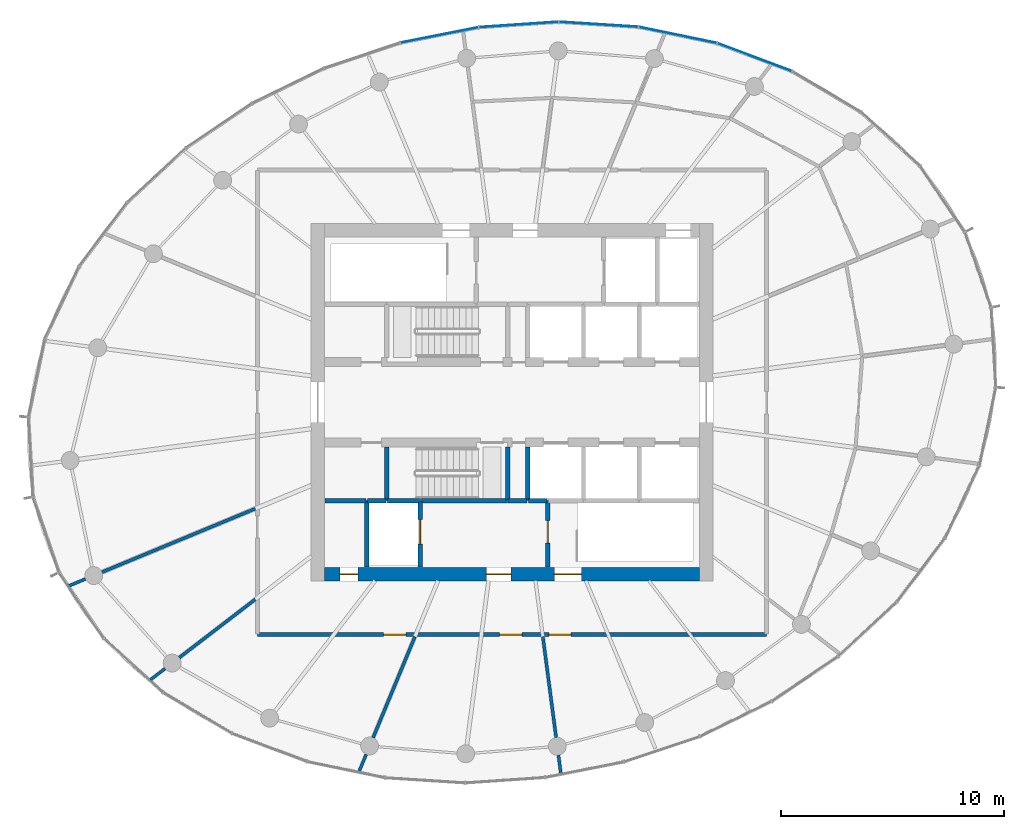
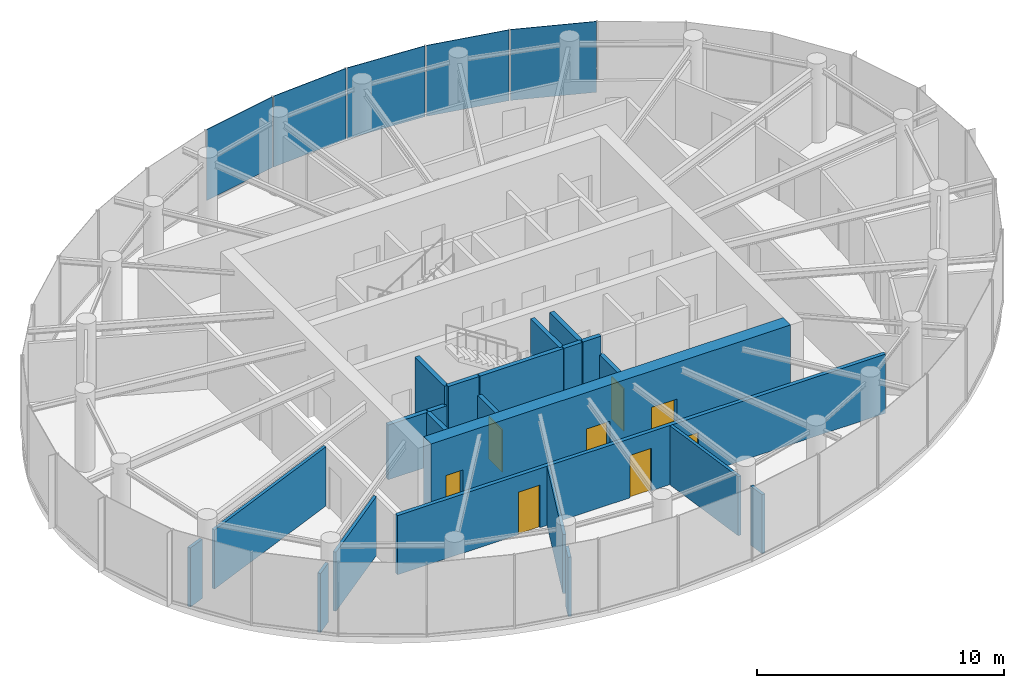
# One storey, part 8 of 13: 22 walls, 8 doors, 5 plates, 8 openings, 2 elements without a shape of their own.
"""IFC4 building model written with IfcOpenShell, lengths in metres."""

from ifc_helpers import new_model, si_unit, direction, frame, frame_2d, origin, origin_2d, place, context, subcontext, project, spatial, rectangle, extrude, source, transform, mapped, material, layer, layer_set, type_object, element, fill, aggregate, save


model = new_model("IFC4")

# Units and contexts
model_context = context("Model", 3, precision=1e-05, world=origin(), true_north=direction((0.0, 1.0)))
body_context = subcontext(model_context, "Body", "Model", "MODEL_VIEW")
ifc_project = project(units=[si_unit("LENGTHUNIT", "METRE"), si_unit("AREAUNIT", "SQUARE_METRE"), si_unit("VOLUMEUNIT", "CUBIC_METRE"), si_unit("PLANEANGLEUNIT", "RADIAN"), si_unit("MASSUNIT", "GRAM", prefix="KILO")], contexts=[model_context])

# Site, building, storey
site_placement = place(None, origin())
site = spatial("IfcSite", under=ifc_project, at=site_placement, CompositionType="ELEMENT")
building_placement = place(site_placement, origin())
building = spatial("IfcBuilding", under=site, at=building_placement, Name="Spindrift Exchange Tower", CompositionType="ELEMENT")
storey_placement = place(building_placement, frame((0.0, 0.0, 265.699951171875)))
storey = spatial("IfcBuildingStorey", under=building, at=storey_placement, Name="L65", CompositionType="ELEMENT", Elevation=265.699951171875)

# Curtain wall, plates
ifc_material_1 = material(Name="Fritted laminated glass with bronze frame", Category="glass")
ifc_layer_1 = layer(ifc_material_1, 0.159912109375)
ifc_layer_set_1 = layer_set([ifc_layer_1], Name="ZONE 5 BRONZE FRITTED WALL")
curtain_wall_type = type_object("IfcCurtainWallType", Name="ZONE 5 BRONZE FRITTED WALL", PredefinedType="NOTDEFINED", material=ifc_layer_set_1)
curtain_wall_1_placement = place(storey_placement, origin())
curtain_wall_1 = element("IfcCurtainWall", 1, at=curtain_wall_1_placement, inside=storey, type_object=curtain_wall_type, Name="L65 Zone 5 Bronze Fritted Wall run 1", PredefinedType="NOTDEFINED")
ifc_material_2 = material(Name="Bronze fritted laminated glass, open frit", Category="glass")
ifc_layer_2 = layer(ifc_material_2, 0.028076171875)
ifc_layer_set_2 = layer_set([ifc_layer_2], Name="ZONE 5 BRONZE FRITTED WALL PANEL OPEN FRIT 480")
plate_type_1 = type_object("IfcPlateType", Name="ZONE 5 BRONZE FRITTED WALL PANEL OPEN FRIT 480", PredefinedType="CURTAIN_PANEL", material=ifc_layer_set_2)
shared_shape_1 = source(origin(), body_context, "Body", "SweptSolid", [
    extrude(rectangle(XDim=3.524658203125, YDim=0.028076171875, at=origin_2d()), origin(), (0.0, 0.0, 1.0), 3.5),
])
plate_1_placement = place(storey_placement, frame((62.857177734375, 63.447509765625, 0.1201171875), z_axis=(0.0, 0.0, 1.0), x_axis=(-0.936253442493, 0.351325335579, 0.0)))
plate_1 = element("IfcPlate", 2, at=plate_1_placement, type_object=plate_type_1, Name="L65 panel CW-5.5", PredefinedType="CURTAIN_PANEL", context=body_context, shape_type="MappedRepresentation", body=[
    mapped(shared_shape_1, transform((0.0, 0.0, 0.0), scale=1.0)),
])
ifc_layer_3 = layer(ifc_material_2, 0.028076171875)
ifc_layer_set_3 = layer_set([ifc_layer_3], Name="ZONE 5 BRONZE FRITTED WALL PANEL OPEN FRIT 360")
plate_type_2 = type_object("IfcPlateType", Name="ZONE 5 BRONZE FRITTED WALL PANEL OPEN FRIT 360", PredefinedType="CURTAIN_PANEL", material=ifc_layer_set_3)
shared_shape_2 = source(origin(), body_context, "Body", "SweptSolid", [
    extrude(rectangle(XDim=3.525390625, YDim=0.028076171875, at=origin_2d()), origin(), (0.0, 0.0, 1.0), 3.5),
])
plate_2_placement = place(storey_placement, frame((59.423583984375, 64.440185546875, 0.1201171875), z_axis=(0.0, 0.0, 1.0), x_axis=(-0.979256774214, 0.202623222154, 0.0)))
plate_2 = element("IfcPlate", 3, at=plate_2_placement, type_object=plate_type_2, Name="L65 panel CW-5.6", PredefinedType="CURTAIN_PANEL", context=body_context, shape_type="MappedRepresentation", body=[
    mapped(shared_shape_2, transform((0.0, 0.0, 0.0), scale=1.0)),
])
aggregate(curtain_wall_1, [plate_1, plate_2])

curtain_wall_2_placement = place(storey_placement, origin())
curtain_wall_2 = element("IfcCurtainWall", 4, at=curtain_wall_2_placement, inside=storey, type_object=curtain_wall_type, Name="L65 Zone 5 Bronze Fritted Wall run 2", PredefinedType="NOTDEFINED")
ifc_layer_4 = layer(ifc_material_2, 0.028076171875)
ifc_layer_set_4 = layer_set([ifc_layer_4], Name="ZONE 5 BRONZE FRITTED WALL PANEL OPEN FRIT 600")
plate_type_3 = type_object("IfcPlateType", Name="ZONE 5 BRONZE FRITTED WALL PANEL OPEN FRIT 600", PredefinedType="CURTAIN_PANEL", material=ifc_layer_set_4)
shared_shape_3 = source(origin(), body_context, "Body", "SweptSolid", [
    extrude(rectangle(XDim=3.52587890625, YDim=0.028076171875, at=origin_2d()), origin(), (0.0, 0.0, 1.0), 3.5),
])
plate_3_placement = place(storey_placement, frame((55.87841796875, 64.91748046875, 0.1201171875), z_axis=(0.0, 0.0, 1.0), x_axis=(-0.997980321567, 0.0635238362, 0.0)))
plate_3 = element("IfcPlate", 5, at=plate_3_placement, type_object=plate_type_3, Name="L65 panel CW-5.7", PredefinedType="CURTAIN_PANEL", context=body_context, shape_type="MappedRepresentation", body=[
    mapped(shared_shape_3, transform((0.0, 0.0, 0.0), scale=1.0)),
])
shared_shape_4 = source(origin(), body_context, "Body", "SweptSolid", [
    extrude(rectangle(XDim=3.5263671875, YDim=0.028076171875, at=origin_2d()), origin(), (0.0, 0.0, 1.0), 3.5),
])
plate_4_placement = place(storey_placement, frame((52.300048828125, 64.909912109375, 0.1201171875), z_axis=(0.0, 0.0, 1.0), x_axis=(-0.997696016141, -0.067842902183, 0.0)))
plate_4 = element("IfcPlate", 6, at=plate_4_placement, type_object=plate_type_2, Name="L65 panel CW-5.8", PredefinedType="CURTAIN_PANEL", context=body_context, shape_type="MappedRepresentation", body=[
    mapped(shared_shape_4, transform((0.0, 0.0, 0.0), scale=1.0)),
])
plate_5_placement = place(storey_placement, frame((48.751953125, 64.440673828125, 0.1201171875), z_axis=(0.0, 0.0, 1.0), x_axis=(-0.981037106548, -0.193820008193, 0.0)))
plate_5 = element("IfcPlate", 7, at=plate_5_placement, type_object=plate_type_2, Name="L65 panel CW-5.9", PredefinedType="CURTAIN_PANEL", context=body_context, shape_type="MappedRepresentation", body=[
    mapped(shared_shape_4, transform((0.0, 0.0, 0.0), scale=1.0)),
])
aggregate(curtain_wall_2, [plate_3, plate_4, plate_5])

# Wall, openings, doors
ifc_material_3 = material(Name="Concrete 50 MPa", Category="concrete")
ifc_layer_5 = layer(ifc_material_3, 0.60009765625)
ifc_layer_set_5 = layer_set([ifc_layer_5], Name="RC Core Wall 600 Concrete 50 MPa")
wall_type_1 = type_object("IfcWallType", Name="RC Core Wall 600 Concrete 50 MPa", PredefinedType="SHEAR", material=ifc_layer_set_5)
wall_1_placement = place(storey_placement, frame((43.60009765625, 40.300048828125, 0.0), z_axis=(0.0, 0.0, 1.0), x_axis=(1.0, 0.0, 0.0)))
wall_1 = element("IfcWall", 8, at=wall_1_placement, inside=storey, type_object=wall_type_1, Name="Core wall S L65", PredefinedType="SHEAR", context=body_context, shape_type="SweptSolid", body=[
    extrude(rectangle(XDim=16.7998046875, YDim=0.60009765625, at=frame_2d((8.39990234375, 0.0))), origin(), (0.0, 0.0, 1.0), 3.900146484375),
])
opening_1_placement = place(wall_1_placement, frame((10.300048828125, 0.0, 0.0)))
opening_1 = element("IfcOpeningElement", 9, at=opening_1_placement, cuts=wall_1, Name="Opening L65-D15", PredefinedType="OPENING", context=body_context, shape_type="SweptSolid", body=[
    extrude(rectangle(XDim=1.199951171875, YDim=2.10009765625, at=frame_2d((0.60009765625, 1.050048828125))), frame((0.0, 0.31005859375, 0.0), z_axis=(0.0, -1.0, 0.0), x_axis=(1.0, 0.0, 0.0)), (0.0, 0.0, 1.0), 0.6201171875),
])
opening_2_placement = place(wall_1_placement, frame((7.25, 0.0, 0.0)))
opening_2 = element("IfcOpeningElement", 10, at=opening_2_placement, cuts=wall_1, Name="Opening L65-D17", PredefinedType="OPENING", context=body_context, shape_type="SweptSolid", body=[
    extrude(rectangle(XDim=1.10009765625, YDim=2.10009765625, at=frame_2d((0.550048828125, 1.050048828125))), frame((0.0, 0.31005859375, 0.0), z_axis=(0.0, -1.0, 0.0), x_axis=(1.0, 0.0, 0.0)), (0.0, 0.0, 1.0), 0.6201171875),
])
opening_3_placement = place(wall_1_placement, frame((0.699951171875, 0.0, 0.0)))
opening_3 = element("IfcOpeningElement", 11, at=opening_3_placement, cuts=wall_1, Name="Opening L65-D18", PredefinedType="OPENING", context=body_context, shape_type="SweptSolid", body=[
    extrude(rectangle(XDim=0.800048828125, YDim=2.10009765625, at=frame_2d((0.39990234375, 1.050048828125))), frame((0.0, 0.31005859375, 0.0), z_axis=(0.0, -1.0, 0.0), x_axis=(1.0, 0.0, 0.0)), (0.0, 0.0, 1.0), 0.6201171875),
])
ifc_material_4 = material(Name="Steel fire door", Category="steel")
door_type_1 = type_object("IfcDoorType", Name="DR-STAIR-1200", OperationType="NOTDEFINED", PredefinedType="DOOR", material=ifc_material_4)
shared_shape_5 = source(origin(), body_context, "Body", "SweptSolid", [
    extrude(rectangle(XDim=1.199951171875, YDim=2.10009765625, at=frame_2d((0.60009765625, 1.050048828125))), frame((0.0, 0.02490234375, 0.0), z_axis=(0.0, -1.0, 0.0), x_axis=(1.0, 0.0, 0.0)), (0.0, 0.0, 1.0), 0.050048828125),
])
door_1_placement = place(opening_1_placement, origin())
door_1 = element("IfcDoor", 12, at=door_1_placement, inside=storey, type_object=door_type_1, Name="L65 Stair door 15", OperationType="SINGLE_SWING_LEFT", OverallHeight=2.10009765625, OverallWidth=1.199951171875, PredefinedType="DOOR", context=body_context, shape_type="MappedRepresentation", body=[
    mapped(shared_shape_5, transform((0.0, 0.0, 0.0), scale=1.0)),
])
fill(opening_1, door_1)
ifc_material_5 = material(Name="Timber-core fire door", Category="wood")
door_type_2 = type_object("IfcDoorType", Name="DR-LOBBY-1100", OperationType="NOTDEFINED", PredefinedType="DOOR", material=ifc_material_5)
shared_shape_6 = source(origin(), body_context, "Body", "SweptSolid", [
    extrude(rectangle(XDim=1.10009765625, YDim=2.10009765625, at=frame_2d((0.550048828125, 1.050048828125))), frame((0.0, 0.02490234375, 0.0), z_axis=(0.0, -1.0, 0.0), x_axis=(1.0, 0.0, 0.0)), (0.0, 0.0, 1.0), 0.050048828125),
])
door_2_placement = place(opening_2_placement, origin())
door_2 = element("IfcDoor", 13, at=door_2_placement, inside=storey, type_object=door_type_2, Name="L65 Lobby door 17", OperationType="SINGLE_SWING_LEFT", OverallHeight=2.10009765625, OverallWidth=1.10009765625, PredefinedType="DOOR", context=body_context, shape_type="MappedRepresentation", body=[
    mapped(shared_shape_6, transform((0.0, 0.0, 0.0), scale=1.0)),
])
fill(opening_2, door_2)
ifc_material_6 = material(Name="Steel access door", Category="steel")
door_type_3 = type_object("IfcDoorType", Name="DR-RISER-800", OperationType="NOTDEFINED", PredefinedType="DOOR", material=ifc_material_6)
shared_shape_7 = source(origin(), body_context, "Body", "SweptSolid", [
    extrude(rectangle(XDim=0.800048828125, YDim=2.10009765625, at=frame_2d((0.39990234375, 1.050048828125))), frame((0.0, 0.02490234375, 0.0), z_axis=(0.0, -1.0, 0.0), x_axis=(1.0, 0.0, 0.0)), (0.0, 0.0, 1.0), 0.050048828125),
])
door_3_placement = place(opening_3_placement, origin())
door_3 = element("IfcDoor", 14, at=door_3_placement, inside=storey, type_object=door_type_3, Name="L65 Riser door 18", OperationType="SINGLE_SWING_RIGHT", OverallHeight=2.10009765625, OverallWidth=0.800048828125, PredefinedType="DOOR", context=body_context, shape_type="MappedRepresentation", body=[
    mapped(shared_shape_7, transform((0.0, 0.0, 0.0), scale=1.0)),
])
fill(opening_3, door_3)

ifc_material_7 = material(Name="Fire-rated plasterboard partition", Category="gypsum")
ifc_layer_6 = layer(ifc_material_7, 0.179931640625)
ifc_layer_set_6 = layer_set([ifc_layer_6], Name="W-CORR-180")
wall_type_2 = type_object("IfcWallType", Name="W-CORR-180", PredefinedType="PARTITIONING", material=ifc_layer_set_6)
wall_2_placement = place(storey_placement, frame((63.39990234375, 37.60009765625, 0.0), z_axis=(0.0, 0.0, 1.0), x_axis=(-1.0, 0.0, 0.0)))
wall_2 = element("IfcWall", 15, at=wall_2_placement, inside=storey, type_object=wall_type_2, Name="L65 Partition wall 36", PredefinedType="PARTITIONING", context=body_context, shape_type="SweptSolid", body=[
    extrude(rectangle(XDim=22.7998046875, YDim=0.179931640625, at=frame_2d((11.39990234375, 0.0))), origin(), (0.0, 0.0, 1.0), 2.920166015625),
])
opening_4_placement = place(wall_2_placement, frame((16.14990234375, 0.0, 0.0)))
opening_4 = element("IfcOpeningElement", 16, at=opening_4_placement, cuts=wall_2, Name="Opening L65-D29", PredefinedType="OPENING", context=body_context, shape_type="SweptSolid", body=[
    extrude(rectangle(XDim=1.0, YDim=2.10009765625, at=frame_2d((0.5, 1.050048828125))), frame((0.0, 0.099853515625, 0.0), z_axis=(0.0, -1.0, 0.0), x_axis=(1.0, 0.0, 0.0)), (0.0, 0.0, 1.0), 0.199951171875),
])
opening_5_placement = place(wall_2_placement, frame((10.949951171875, 0.0, 0.0)))
opening_5 = element("IfcOpeningElement", 17, at=opening_5_placement, cuts=wall_2, Name="Opening L65-D30", PredefinedType="OPENING", context=body_context, shape_type="SweptSolid", body=[
    extrude(rectangle(XDim=1.0, YDim=2.10009765625, at=frame_2d((0.5, 1.050048828125))), frame((0.0, 0.099853515625, 0.0), z_axis=(0.0, -1.0, 0.0), x_axis=(1.0, 0.0, 0.0)), (0.0, 0.0, 1.0), 0.199951171875),
])
opening_6_placement = place(wall_2_placement, frame((8.75, 0.0, 0.0)))
opening_6 = element("IfcOpeningElement", 18, at=opening_6_placement, cuts=wall_2, Name="Opening L65-D31", PredefinedType="OPENING", context=body_context, shape_type="SweptSolid", body=[
    extrude(rectangle(XDim=1.0, YDim=2.10009765625, at=frame_2d((0.5, 1.050048828125))), frame((0.0, 0.099853515625, 0.0), z_axis=(0.0, -1.0, 0.0), x_axis=(1.0, 0.0, 0.0)), (0.0, 0.0, 1.0), 0.199951171875),
])
door_type_4 = type_object("IfcDoorType", Name="DR-ROOM-1000", OperationType="NOTDEFINED", PredefinedType="DOOR", material=ifc_material_5)
shared_shape_8 = source(origin(), body_context, "Body", "SweptSolid", [
    extrude(rectangle(XDim=1.0, YDim=2.10009765625, at=frame_2d((0.5, 1.050048828125))), frame((0.0, 0.02490234375, 0.0), z_axis=(0.0, -1.0, 0.0), x_axis=(1.0, 0.0, 0.0)), (0.0, 0.0, 1.0), 0.050048828125),
])
door_4_placement = place(opening_4_placement, origin())
door_4 = element("IfcDoor", 19, at=door_4_placement, inside=storey, type_object=door_type_4, Name="L65 Door 29", OperationType="SINGLE_SWING_LEFT", OverallHeight=2.10009765625, OverallWidth=1.0, PredefinedType="DOOR", context=body_context, shape_type="MappedRepresentation", body=[
    mapped(shared_shape_8, transform((0.0, 0.0, 0.0), scale=1.0)),
])
fill(opening_4, door_4)
door_5_placement = place(opening_5_placement, origin())
door_5 = element("IfcDoor", 20, at=door_5_placement, inside=storey, type_object=door_type_4, Name="L65 Door 30", OperationType="SINGLE_SWING_RIGHT", OverallHeight=2.10009765625, OverallWidth=1.0, PredefinedType="DOOR", context=body_context, shape_type="MappedRepresentation", body=[
    mapped(shared_shape_8, transform((0.0, 0.0, 0.0), scale=1.0)),
])
fill(opening_5, door_5)
door_6_placement = place(opening_6_placement, origin())
door_6 = element("IfcDoor", 21, at=door_6_placement, inside=storey, type_object=door_type_4, Name="L65 Door 31", OperationType="SINGLE_SWING_LEFT", OverallHeight=2.10009765625, OverallWidth=1.0, PredefinedType="DOOR", context=body_context, shape_type="MappedRepresentation", body=[
    mapped(shared_shape_8, transform((0.0, 0.0, 0.0), scale=1.0)),
])
fill(opening_6, door_6)

# Walls
ifc_layer_7 = layer(ifc_material_7, 0.139892578125)
ifc_layer_set_7 = layer_set([ifc_layer_7], Name="W-PART-140")
wall_type_3 = type_object("IfcWallType", Name="W-PART-140", PredefinedType="PARTITIONING", material=ifc_layer_set_7)
wall_3_placement = place(storey_placement, frame((40.510009765625, 43.24072265625, 0.0), z_axis=(0.0, 0.0, 1.0), x_axis=(-0.92388089155, -0.38268015134, 0.0)))
element("IfcWall", 22, at=wall_3_placement, inside=storey, type_object=wall_type_3, Name="L65 Partition wall 39", PredefinedType="PARTITIONING", context=body_context, shape_type="SweptSolid", body=[
    extrude(rectangle(XDim=7.42041015625, YDim=0.139892578125, at=frame_2d((3.710205078125, 0.0))), origin(), (0.0, 0.0, 1.0), 2.920166015625),
])
wall_4_placement = place(storey_placement, frame((47.65478515625, 37.510009765625, 0.0), z_axis=(0.0, 0.0, 1.0), x_axis=(-0.382689806821, -0.923876892099, 0.0)))
element("IfcWall", 23, at=wall_4_placement, inside=storey, type_object=wall_type_3, Name="L65 Partition wall 40", PredefinedType="PARTITIONING", context=body_context, shape_type="SweptSolid", body=[
    extrude(rectangle(XDim=4.890625, YDim=0.139892578125, at=frame_2d((2.4453125, 0.0))), origin(), (0.0, 0.0, 1.0), 2.920166015625),
])
wall_5_placement = place(storey_placement, frame((53.381103515625, 37.510009765625, 0.0), z_axis=(0.0, 0.0, 1.0), x_axis=(0.130505936446, -0.991447527887, 0.0)))
element("IfcWall", 24, at=wall_5_placement, inside=storey, type_object=wall_type_3, Name="L65 Partition wall 41", PredefinedType="PARTITIONING", context=body_context, shape_type="SweptSolid", body=[
    extrude(rectangle(XDim=4.5439453125, YDim=0.139892578125, at=frame_2d((2.27197265625, 0.0))), origin(), (0.0, 0.0, 1.0), 2.920166015625),
])
wall_6_placement = place(storey_placement, frame((40.510009765625, 39.183349609375, 0.0), z_axis=(0.0, 0.0, 1.0), x_axis=(-0.793358616255, -0.608754553177, 0.0)))
element("IfcWall", 25, at=wall_6_placement, inside=storey, type_object=wall_type_3, Name="L65 Partition wall 45", PredefinedType="PARTITIONING", context=body_context, shape_type="SweptSolid", body=[
    extrude(rectangle(XDim=4.28369140625, YDim=0.139892578125, at=frame_2d((2.141845703125, 0.0))), origin(), (0.0, 0.0, 1.0), 2.920166015625),
])
wall_7_placement = place(storey_placement, frame((36.469482421875, 36.0830078125, 0.0), z_axis=(0.0, 0.0, 1.0), x_axis=(-0.793396032013, -0.608705788034, 0.0)))
element("IfcWall", 26, at=wall_7_placement, inside=storey, type_object=wall_type_3, Name="L65 Partition wall 71", PredefinedType="PARTITIONING", context=body_context, shape_type="SweptSolid", body=[
    extrude(rectangle(XDim=0.822265625, YDim=0.139892578125, at=frame_2d((0.4111328125, 0.0))), origin(), (0.0, 0.0, 1.0), 2.920166015625),
])
wall_8_placement = place(storey_placement, frame((45.473388671875, 32.2431640625, 0.0), z_axis=(0.0, 0.0, 1.0), x_axis=(-0.382846417199, -0.923812005138, 0.0)))
element("IfcWall", 27, at=wall_8_placement, inside=storey, type_object=wall_type_3, Name="L65 Partition wall 74", PredefinedType="PARTITIONING", context=body_context, shape_type="SweptSolid", body=[
    extrude(rectangle(XDim=0.813720703125, YDim=0.139892578125, at=frame_2d((0.40673828125, 0.0))), origin(), (0.0, 0.0, 1.0), 2.920166015625),
])
wall_9_placement = place(storey_placement, frame((32.90625, 40.091064453125, 0.0), z_axis=(0.0, 0.0, 1.0), x_axis=(-0.923945811289, -0.382523382031, 0.0)))
element("IfcWall", 28, at=wall_9_placement, inside=storey, type_object=wall_type_3, Name="L65 Partition wall 76", PredefinedType="PARTITIONING", context=body_context, shape_type="SweptSolid", body=[
    extrude(rectangle(XDim=0.7958984375, YDim=0.139892578125, at=frame_2d((0.39794921875, 0.0))), origin(), (0.0, 0.0, 1.0), 2.920166015625),
])
wall_10_placement = place(storey_placement, frame((54.07958984375, 32.202880859375, 0.0), z_axis=(0.0, 0.0, 1.0), x_axis=(0.130575144093, -0.991438415508, 0.0)))
element("IfcWall", 29, at=wall_10_placement, inside=storey, type_object=wall_type_3, Name="L65 Partition wall 77", PredefinedType="PARTITIONING", context=body_context, shape_type="SweptSolid", body=[
    extrude(rectangle(XDim=0.785400390625, YDim=0.139892578125, at=frame_2d((0.392578125, 0.0))), origin(), (0.0, 0.0, 1.0), 2.920166015625),
])
ifc_material_8 = material(Name="Concrete 40 MPa", Category="concrete")
ifc_layer_8 = layer(ifc_material_8, 0.199951171875)
ifc_layer_set_8 = layer_set([ifc_layer_8], Name="W-SHAFT-200")
wall_type_4 = type_object("IfcWallType", Name="W-SHAFT-200", PredefinedType="SOLIDWALL", material=ifc_layer_set_8)
wall_11_placement = place(storey_placement, frame((45.5, 43.60009765625, 0.0), z_axis=(0.0, 0.0, 1.0), x_axis=(0.0, -1.0, 0.0)))
element("IfcWall", 30, at=wall_11_placement, inside=storey, type_object=wall_type_4, Name="L65 Shaft wall 3", PredefinedType="SOLIDWALL", context=body_context, shape_type="SweptSolid", body=[
    extrude(rectangle(XDim=2.97998046875, YDim=0.199951171875, at=frame_2d((1.489990234375, 0.0))), origin(), (0.0, 0.0, 1.0), 2.699951171875),
])
wall_12_placement = place(storey_placement, frame((52.699951171875, 45.989990234375, 0.0), z_axis=(0.0, 0.0, 1.0), x_axis=(0.0, -1.0, 0.0)))
element("IfcWall", 31, at=wall_12_placement, inside=storey, type_object=wall_type_4, Name="L65 Shaft wall 17", PredefinedType="SOLIDWALL", context=body_context, shape_type="SweptSolid", body=[
    extrude(rectangle(XDim=2.389892578125, YDim=0.199951171875, at=frame_2d((1.19482421875, 0.0))), origin(), (0.0, 0.0, 1.0), 3.6201171875),
])
wall_13_placement = place(storey_placement, frame((45.469970703125, 43.60009765625, 0.0), z_axis=(0.0, 0.0, 1.0), x_axis=(-1.0, 0.0, 0.0)))
element("IfcWall", 32, at=wall_13_placement, inside=storey, type_object=wall_type_4, Name="L65 Shaft wall 23", PredefinedType="SOLIDWALL", context=body_context, shape_type="SweptSolid", body=[
    extrude(rectangle(XDim=1.849853515625, YDim=0.199951171875, at=frame_2d((0.9248046875, 0.0))), origin(), (0.0, 0.0, 1.0), 2.699951171875),
])
ifc_layer_9 = layer(ifc_material_8, 0.199951171875)
ifc_layer_set_9 = layer_set([ifc_layer_9], Name="W-SHAFT-200-LB")
wall_type_5 = type_object("IfcWallType", Name="W-SHAFT-200-LB", PredefinedType="SOLIDWALL", material=ifc_layer_set_9)
wall_14_placement = place(storey_placement, frame((51.800048828125, 43.60009765625, 0.0), z_axis=(0.0, 0.0, 1.0), x_axis=(-1.0, 0.0, 0.0)))
element("IfcWall", 33, at=wall_14_placement, inside=storey, type_object=wall_type_5, Name="L65 Shaft wall 2", PredefinedType="SOLIDWALL", context=body_context, shape_type="SweptSolid", body=[
    extrude(rectangle(XDim=3.900146484375, YDim=0.199951171875, at=frame_2d((1.9501953125, 0.0))), origin(), (0.0, 0.0, 1.0), 3.6201171875),
])

# Wall, opening, door
wall_15_placement = place(storey_placement, frame((47.89990234375, 40.6201171875, 0.0), z_axis=(0.0, 0.0, 1.0), x_axis=(0.0, 1.0, 0.0)))
wall_15 = element("IfcWall", 34, at=wall_15_placement, inside=storey, type_object=wall_type_5, Name="L65 Shaft wall 4", PredefinedType="SOLIDWALL", context=body_context, shape_type="SweptSolid", body=[
    extrude(rectangle(XDim=2.949951171875, YDim=0.199951171875, at=frame_2d((1.47509765625, 0.0))), origin(), (0.0, 0.0, 1.0), 2.699951171875),
])
opening_7_placement = place(wall_15_placement, frame((1.030029296875, 0.0, 0.0)))
opening_7 = element("IfcOpeningElement", 35, at=opening_7_placement, cuts=wall_15, Name="Opening L65-D10", PredefinedType="OPENING", context=body_context, shape_type="SweptSolid", body=[
    extrude(rectangle(XDim=1.10009765625, YDim=2.10009765625, at=frame_2d((0.550048828125, 1.050048828125))), frame((0.0, 0.10986328125, 0.0), z_axis=(0.0, -1.0, 0.0), x_axis=(1.0, 0.0, 0.0)), (0.0, 0.0, 1.0), 0.219970703125),
])
ifc_material_9 = material(Name="Stainless steel landing door", Category="steel")
door_type_5 = type_object("IfcDoorType", Name="DR-LANDING-1100-SL", OperationType="DOUBLE_DOOR_SLIDING", PredefinedType="USERDEFINED", material=ifc_material_9)
shared_shape_9 = source(origin(), body_context, "Body", "SweptSolid", [
    extrude(rectangle(XDim=1.10009765625, YDim=2.10009765625, at=frame_2d((0.550048828125, 1.050048828125))), frame((0.0, 0.02490234375, 0.0), z_axis=(0.0, -1.0, 0.0), x_axis=(1.0, 0.0, 0.0)), (0.0, 0.0, 1.0), 0.050048828125),
])
door_7_placement = place(opening_7_placement, origin())
door_7 = element("IfcDoor", 36, at=door_7_placement, inside=storey, type_object=door_type_5, Name="L65 Lift landing door 10", ObjectType="LANDING DOOR", OperationType="DOUBLE_DOOR_SLIDING", OverallHeight=2.10009765625, OverallWidth=1.10009765625, PredefinedType="USERDEFINED", context=body_context, shape_type="MappedRepresentation", body=[
    mapped(shared_shape_9, transform((0.0, 0.0, 0.0), scale=1.0)),
])
fill(opening_7, door_7)

wall_16_placement = place(storey_placement, frame((53.60009765625, 43.60009765625, 0.0), z_axis=(0.0, 0.0, 1.0), x_axis=(0.0, -1.0, 0.0)))
wall_16 = element("IfcWall", 37, at=wall_16_placement, inside=storey, type_object=wall_type_5, Name="L65 Shaft wall 6", PredefinedType="SOLIDWALL", context=body_context, shape_type="SweptSolid", body=[
    extrude(rectangle(XDim=2.97998046875, YDim=0.199951171875, at=frame_2d((1.489990234375, 0.0))), origin(), (0.0, 0.0, 1.0), 2.699951171875),
])
opening_8_placement = place(wall_16_placement, frame((0.89990234375, 0.0, 0.0)))
opening_8 = element("IfcOpeningElement", 38, at=opening_8_placement, cuts=wall_16, Name="Opening L65-D16", PredefinedType="OPENING", context=body_context, shape_type="SweptSolid", body=[
    extrude(rectangle(XDim=1.0, YDim=2.10009765625, at=frame_2d((0.5, 1.050048828125))), frame((0.0, 0.10986328125, 0.0), z_axis=(0.0, -1.0, 0.0), x_axis=(1.0, 0.0, 0.0)), (0.0, 0.0, 1.0), 0.219970703125),
])
door_type_6 = type_object("IfcDoorType", Name="DR-STAIR-1000", OperationType="NOTDEFINED", PredefinedType="DOOR", material=ifc_material_4)
shared_shape_10 = source(origin(), body_context, "Body", "SweptSolid", [
    extrude(rectangle(XDim=1.0, YDim=2.10009765625, at=frame_2d((0.5, 1.050048828125))), frame((0.0, 0.02490234375, 0.0), z_axis=(0.0, -1.0, 0.0), x_axis=(1.0, 0.0, 0.0)), (0.0, 0.0, 1.0), 0.050048828125),
])
door_8_placement = place(opening_8_placement, origin())
door_8 = element("IfcDoor", 39, at=door_8_placement, inside=storey, type_object=door_type_6, Name="L65 Stair door 16", OperationType="SINGLE_SWING_RIGHT", OverallHeight=2.10009765625, OverallWidth=1.0, PredefinedType="DOOR", context=body_context, shape_type="MappedRepresentation", body=[
    mapped(shared_shape_10, transform((0.0, 0.0, 0.0), scale=1.0)),
])
fill(opening_8, door_8)

# Walls
wall_17_placement = place(storey_placement, frame((46.39990234375, 45.989990234375, 0.0), z_axis=(0.0, 0.0, 1.0), x_axis=(0.0, -1.0, 0.0)))
element("IfcWall", 40, at=wall_17_placement, inside=storey, type_object=wall_type_5, Name="L65 Shaft wall 13", PredefinedType="SOLIDWALL", context=body_context, shape_type="SweptSolid", body=[
    extrude(rectangle(XDim=2.389892578125, YDim=0.199951171875, at=frame_2d((1.19482421875, 0.0))), origin(), (0.0, 0.0, 1.0), 3.6201171875),
])
wall_18_placement = place(storey_placement, frame((51.800048828125, 43.6298828125, 0.0), z_axis=(0.0, 0.0, 1.0), x_axis=(0.0, 1.0, 0.0)))
element("IfcWall", 41, at=wall_18_placement, inside=storey, type_object=wall_type_5, Name="L65 Shaft wall 15", PredefinedType="SOLIDWALL", context=body_context, shape_type="SweptSolid", body=[
    extrude(rectangle(XDim=2.360107421875, YDim=0.199951171875, at=frame_2d((1.18017578125, 0.0))), origin(), (0.0, 0.0, 1.0), 3.6201171875),
])
wall_19_placement = place(storey_placement, frame((47.8701171875, 43.60009765625, 0.0), z_axis=(0.0, 0.0, 1.0), x_axis=(-1.0, 0.0, 0.0)))
element("IfcWall", 42, at=wall_19_placement, inside=storey, type_object=wall_type_5, Name="L65 Shaft wall 27", PredefinedType="SOLIDWALL", context=body_context, shape_type="SweptSolid", body=[
    extrude(rectangle(XDim=1.440185546875, YDim=0.199951171875, at=frame_2d((0.72021484375, 0.0))), origin(), (0.0, 0.0, 1.0), 3.6201171875),
])
wall_20_placement = place(storey_placement, frame((52.669921875, 43.60009765625, 0.0), z_axis=(0.0, 0.0, 1.0), x_axis=(-1.0, 0.0, 0.0)))
element("IfcWall", 43, at=wall_20_placement, inside=storey, type_object=wall_type_5, Name="L65 Shaft wall 29", PredefinedType="SOLIDWALL", context=body_context, shape_type="SweptSolid", body=[
    extrude(rectangle(XDim=0.83984375, YDim=0.199951171875, at=frame_2d((0.419921875, 0.0))), origin(), (0.0, 0.0, 1.0), 3.6201171875),
])
wall_21_placement = place(storey_placement, frame((46.3701171875, 43.60009765625, 0.0), z_axis=(0.0, 0.0, 1.0), x_axis=(-1.0, 0.0, 0.0)))
element("IfcWall", 44, at=wall_21_placement, inside=storey, type_object=wall_type_5, Name="L65 Shaft wall 31", PredefinedType="SOLIDWALL", context=body_context, shape_type="SweptSolid", body=[
    extrude(rectangle(XDim=0.840087890625, YDim=0.199951171875, at=frame_2d((0.419921875, 0.0))), origin(), (0.0, 0.0, 1.0), 2.699951171875),
])
wall_22_placement = place(storey_placement, frame((52.72998046875, 43.60009765625, 0.0), z_axis=(0.0, 0.0, 1.0), x_axis=(1.0, 0.0, 0.0)))
element("IfcWall", 45, at=wall_22_placement, inside=storey, type_object=wall_type_5, Name="L65 Shaft wall 32", PredefinedType="SOLIDWALL", context=body_context, shape_type="SweptSolid", body=[
    extrude(rectangle(XDim=0.840087890625, YDim=0.199951171875, at=frame_2d((0.419921875, 0.0))), origin(), (0.0, 0.0, 1.0), 3.6201171875),
])

save(model, "model.ifc")
